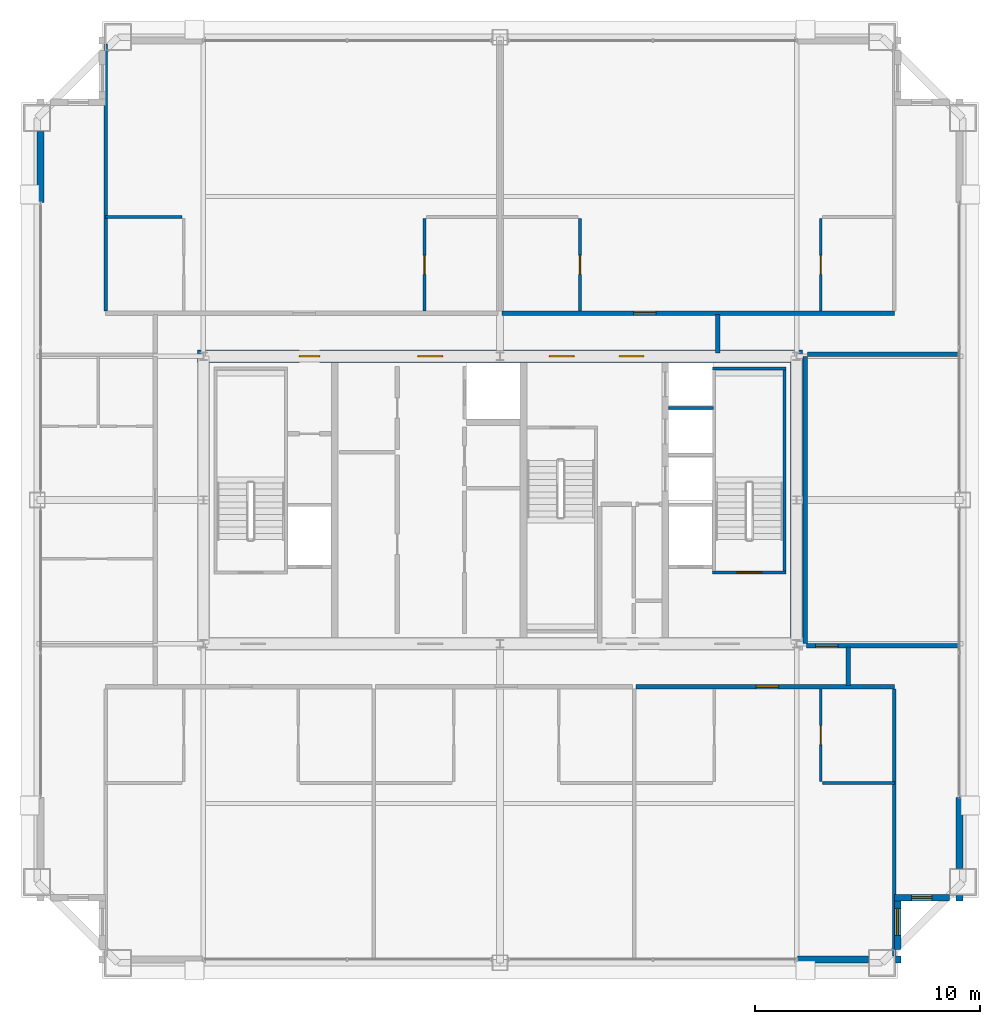
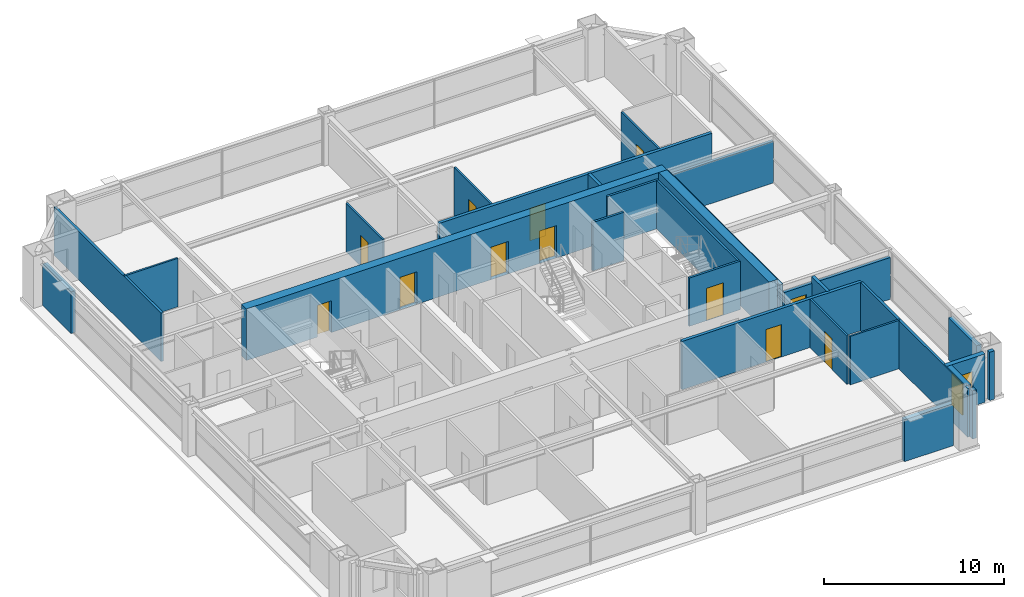
# One storey, part 35 of 37: 28 walls, 12 doors, 2 windows, 14 openings.
"""IFC4 building model written with IfcOpenShell, lengths in metres."""

from ifc_helpers import new_model, si_unit, direction, frame, frame_2d, origin, place, context, subcontext, project, spatial, rectangle, extrude, source, transform, mapped, material, layer, layer_set, type_object, element, fill, save


model = new_model("IFC4")

# Units and contexts
model_context = context("Model", 3, precision=1e-05, world=origin(), true_north=direction((0.0, 1.0)))
body_context = subcontext(model_context, "Body", "Model", "MODEL_VIEW")
ifc_project = project(units=[si_unit("LENGTHUNIT", "METRE"), si_unit("AREAUNIT", "SQUARE_METRE"), si_unit("VOLUMEUNIT", "CUBIC_METRE"), si_unit("PLANEANGLEUNIT", "RADIAN"), si_unit("MASSUNIT", "GRAM", prefix="KILO"), si_unit("THERMODYNAMICTEMPERATUREUNIT", "KELVIN"), si_unit("POWERUNIT", "WATT")], contexts=[model_context])

# Site, building, storey
site_placement = place(None, origin())
site = spatial("IfcSite", under=ifc_project, at=site_placement, CompositionType="ELEMENT")
building_placement = place(site_placement, origin())
building = spatial("IfcBuilding", under=site, at=building_placement, Name="Yuzanri Waterfront Tower", CompositionType="ELEMENT")
storey_placement = place(building_placement, frame((0.0, 0.0, 275.10009765625)))
storey = spatial("IfcBuildingStorey", under=building, at=storey_placement, Name="L73", CompositionType="ELEMENT", Elevation=275.10009765625)

# Wall, opening, door
ifc_material_1 = material(Name="Moisture-Resistant Gypsum Stud Wall", Category="gypsum")
ifc_layer_1 = layer(ifc_material_1, 0.1201171875)
ifc_layer_set_1 = layer_set([ifc_layer_1], Name="Moisture-Resistant Gypsum Stud Wall")
wall_type_1 = type_object("IfcWallType", Name="Bathroom and Kitchen Wet Partition 120", PredefinedType="PARTITIONING", material=ifc_layer_set_1)
wall_1_placement = place(storey_placement, frame((51.280029296875, 13.280029296875, 0.0), z_axis=(0.0, 0.0, 1.0), x_axis=(0.0, 1.0, 0.0)))
wall_1 = element("IfcWall", 1, at=wall_1_placement, inside=storey, type_object=wall_type_1, Name="L73 Partition UW-L73-HS3-SUB-2-W", PredefinedType="PARTITIONING", context=body_context, shape_type="SweptSolid", body=[
    extrude(rectangle(XDim=4.10986328125, YDim=0.1201171875, at=frame_2d((2.054931640625, 0.0))), origin(), (0.0, 0.0, 1.0), 3.27978515625),
])
opening_1_placement = place(wall_1_placement, frame((1.6298828125, 0.0, 0.0)))
opening_1 = element("IfcOpeningElement", 2, at=opening_1_placement, cuts=wall_1, Name="Opening ID-0850", PredefinedType="OPENING", context=body_context, shape_type="SweptSolid", body=[
    extrude(rectangle(XDim=0.85009765625, YDim=2.10009765625, at=frame_2d((0.425048828125, 1.050048828125))), frame((0.0, 0.074951171875, 0.0), z_axis=(0.0, -1.0, 0.0), x_axis=(1.0, 0.0, 0.0)), (0.0, 0.0, 1.0), 0.14990234375),
])
ifc_material_2 = material(Name="Moisture-Resistant Lacquered Timber", Category="wood")
door_type_1 = type_object("IfcDoorType", Name="En-Suite Bathroom and Kitchen Swing Door 850x2100", OperationType="NOTDEFINED", PredefinedType="DOOR", material=ifc_material_2)
shared_shape_1 = source(origin(), body_context, "Body", "SweptSolid", [
    extrude(rectangle(XDim=0.85009765625, YDim=2.10009765625, at=frame_2d((0.425048828125, 1.050048828125))), frame((0.0, 0.02490234375, 0.0), z_axis=(0.0, -1.0, 0.0), x_axis=(1.0, 0.0, 0.0)), (0.0, 0.0, 1.0), 0.050048828125),
])
door_1_placement = place(opening_1_placement, origin())
door_1 = element("IfcDoor", 3, at=door_1_placement, inside=storey, type_object=door_type_1, Name="L73 Suite Interior Room Door", OperationType="SINGLE_SWING_LEFT", OverallHeight=2.10009765625, OverallWidth=0.85009765625, PredefinedType="DOOR", context=body_context, shape_type="MappedRepresentation", body=[
    mapped(shared_shape_1, transform((0.0, 0.0, 0.0), scale=1.0)),
])
fill(opening_1, door_1)

wall_2_placement = place(storey_placement, frame((33.639892578125, 34.2099609375, 0.0), z_axis=(0.0, 0.0, 1.0), x_axis=(0.0, 1.0, 0.0)))
wall_2 = element("IfcWall", 4, at=wall_2_placement, inside=storey, type_object=wall_type_1, Name="L73 Partition UW-L73-HN1-SUB-2-W", PredefinedType="PARTITIONING", context=body_context, shape_type="SweptSolid", body=[
    extrude(rectangle(XDim=4.110107421875, YDim=0.1201171875, at=frame_2d((2.05517578125, 0.0))), origin(), (0.0, 0.0, 1.0), 3.27978515625),
])
opening_2_placement = place(wall_2_placement, frame((1.6298828125, 0.0, 0.0)))
opening_2 = element("IfcOpeningElement", 5, at=opening_2_placement, cuts=wall_2, Name="Opening ID-0850", PredefinedType="OPENING", context=body_context, shape_type="SweptSolid", body=[
    extrude(rectangle(XDim=0.85009765625, YDim=2.10009765625, at=frame_2d((0.425048828125, 1.050048828125))), frame((0.0, 0.074951171875, 0.0), z_axis=(0.0, -1.0, 0.0), x_axis=(1.0, 0.0, 0.0)), (0.0, 0.0, 1.0), 0.14990234375),
])
door_2_placement = place(opening_2_placement, origin())
door_2 = element("IfcDoor", 6, at=door_2_placement, inside=storey, type_object=door_type_1, Name="L73 Suite Interior Room Door", OperationType="SINGLE_SWING_RIGHT", OverallHeight=2.10009765625, OverallWidth=0.85009765625, PredefinedType="DOOR", context=body_context, shape_type="MappedRepresentation", body=[
    mapped(shared_shape_1, transform((0.0, 0.0, 0.0), scale=1.0)),
])
fill(opening_2, door_2)

wall_3_placement = place(storey_placement, frame((40.56005859375, 34.2099609375, 0.0), z_axis=(0.0, 0.0, 1.0), x_axis=(0.0, 1.0, 0.0)))
wall_3 = element("IfcWall", 7, at=wall_3_placement, inside=storey, type_object=wall_type_1, Name="L73 Partition UW-L73-HN2-SUB-1-E", PredefinedType="PARTITIONING", context=body_context, shape_type="SweptSolid", body=[
    extrude(rectangle(XDim=4.110107421875, YDim=0.1201171875, at=frame_2d((2.05517578125, 0.0))), origin(), (0.0, 0.0, 1.0), 3.27978515625),
])
opening_3_placement = place(wall_3_placement, frame((1.6298828125, 0.0, 0.0)))
opening_3 = element("IfcOpeningElement", 8, at=opening_3_placement, cuts=wall_3, Name="Opening ID-0850", PredefinedType="OPENING", context=body_context, shape_type="SweptSolid", body=[
    extrude(rectangle(XDim=0.85009765625, YDim=2.10009765625, at=frame_2d((0.425048828125, 1.050048828125))), frame((0.0, 0.074951171875, 0.0), z_axis=(0.0, -1.0, 0.0), x_axis=(1.0, 0.0, 0.0)), (0.0, 0.0, 1.0), 0.14990234375),
])
door_3_placement = place(opening_3_placement, origin())
door_3 = element("IfcDoor", 9, at=door_3_placement, inside=storey, type_object=door_type_1, Name="L73 Suite Interior Room Door", OperationType="SINGLE_SWING_RIGHT", OverallHeight=2.10009765625, OverallWidth=0.85009765625, PredefinedType="DOOR", context=body_context, shape_type="MappedRepresentation", body=[
    mapped(shared_shape_1, transform((0.0, 0.0, 0.0), scale=1.0)),
])
fill(opening_3, door_3)

wall_4_placement = place(storey_placement, frame((51.280029296875, 34.2099609375, 0.0), z_axis=(0.0, 0.0, 1.0), x_axis=(0.0, 1.0, 0.0)))
wall_4 = element("IfcWall", 10, at=wall_4_placement, inside=storey, type_object=wall_type_1, Name="L73 Partition UW-L73-HN2-SUB-2-W", PredefinedType="PARTITIONING", context=body_context, shape_type="SweptSolid", body=[
    extrude(rectangle(XDim=4.110107421875, YDim=0.1201171875, at=frame_2d((2.05517578125, 0.0))), origin(), (0.0, 0.0, 1.0), 3.27978515625),
])
opening_4_placement = place(wall_4_placement, frame((1.6298828125, 0.0, 0.0)))
opening_4 = element("IfcOpeningElement", 11, at=opening_4_placement, cuts=wall_4, Name="Opening ID-0850", PredefinedType="OPENING", context=body_context, shape_type="SweptSolid", body=[
    extrude(rectangle(XDim=0.85009765625, YDim=2.10009765625, at=frame_2d((0.425048828125, 1.050048828125))), frame((0.0, 0.074951171875, 0.0), z_axis=(0.0, -1.0, 0.0), x_axis=(1.0, 0.0, 0.0)), (0.0, 0.0, 1.0), 0.14990234375),
])
door_4_placement = place(opening_4_placement, origin())
door_4 = element("IfcDoor", 12, at=door_4_placement, inside=storey, type_object=door_type_1, Name="L73 Suite Interior Room Door", OperationType="SINGLE_SWING_LEFT", OverallHeight=2.10009765625, OverallWidth=0.85009765625, PredefinedType="DOOR", context=body_context, shape_type="MappedRepresentation", body=[
    mapped(shared_shape_1, transform((0.0, 0.0, 0.0), scale=1.0)),
])
fill(opening_4, door_4)

# Wall, opening, window
ifc_material_3 = material(Name="Honed Chongqing Dark Basalt Stone", Category="masonry")
ifc_layer_2 = layer(ifc_material_3, 0.300048828125)
ifc_layer_set_2 = layer_set([ifc_layer_2], Name="Honed Chongqing Dark Basalt Stone")
wall_type_2 = type_object("IfcWallType", Name="Bronze Rainscreen Insulated Spandrel Portal Wall 300", PredefinedType="SOLIDWALL", material=ifc_layer_set_2)
wall_5_placement = place(storey_placement, frame((54.550048828125, 8.10009765625, 0.0), z_axis=(0.0, 0.0, 1.0), x_axis=(1.0, 0.0, 0.0)))
wall_5 = element("IfcWall", 13, at=wall_5_placement, inside=storey, type_object=wall_type_2, Name="L73 Notched Corner Masonry Wall SE-X", PredefinedType="SOLIDWALL", context=body_context, shape_type="SweptSolid", body=[
    extrude(rectangle(XDim=2.449951171875, YDim=0.300048828125, at=frame_2d((1.22509765625, 0.0))), origin(), (0.0, 0.0, 1.0), 3.27978515625),
])
opening_5_placement = place(wall_5_placement, frame((0.77490234375, 0.0, 0.85009765625)))
opening_5 = element("IfcOpeningElement", 14, at=opening_5_placement, cuts=wall_5, Name="Opening WN-05", PredefinedType="OPENING", context=body_context, shape_type="SweptSolid", body=[
    extrude(rectangle(XDim=0.89990234375, YDim=1.5, at=frame_2d((0.449951171875, 0.75))), frame((0.0, 0.1650390625, 0.0), z_axis=(0.0, -1.0, 0.0), x_axis=(1.0, 0.0, 0.0)), (0.0, 0.0, 1.0), 0.329833984375),
])
ifc_material_4 = material(Name="Double-Silver Low-E Insulated Glass", Category="glass")
window_type_1 = type_object("IfcWindowType", Name="Anodized Bronze Service and Stairwell Smoke-Vent Window 900x1500", PartitioningType="SINGLE_PANEL", PredefinedType="WINDOW", material=ifc_material_4)
shared_shape_2 = source(origin(), body_context, "Body", "SweptSolid", [
    extrude(rectangle(XDim=0.89990234375, YDim=1.5, at=frame_2d((0.449951171875, 0.75))), frame((0.0, 0.030029296875, 0.0), z_axis=(0.0, -1.0, 0.0), x_axis=(1.0, 0.0, 0.0)), (0.0, 0.0, 1.0), 0.06005859375),
])
window_1_placement = place(opening_5_placement, origin())
window_1 = element("IfcWindow", 15, at=window_1_placement, inside=storey, type_object=window_type_1, Name="L73 Notched Corner Window SE-X", OverallHeight=1.5, OverallWidth=0.89990234375, PartitioningType="SINGLE_PANEL", PredefinedType="WINDOW", context=body_context, shape_type="MappedRepresentation", body=[
    mapped(shared_shape_2, transform((0.0, 0.0, 0.0), scale=1.0)),
])
fill(opening_5, window_1)

wall_6_placement = place(storey_placement, frame((54.699951171875, 5.800048828125, 0.0), z_axis=(0.0, 0.0, 1.0), x_axis=(0.0, 1.0, 0.0)))
wall_6 = element("IfcWall", 16, at=wall_6_placement, inside=storey, type_object=wall_type_2, Name="L73 Notched Corner Masonry Wall SE-Y", PredefinedType="SOLIDWALL", context=body_context, shape_type="SweptSolid", body=[
    extrude(rectangle(XDim=2.449951171875, YDim=0.300048828125, at=frame_2d((1.22509765625, 0.0))), origin(), (0.0, 0.0, 1.0), 3.27978515625),
])
opening_6_placement = place(wall_6_placement, frame((0.625, 0.0, 0.85009765625)))
opening_6 = element("IfcOpeningElement", 17, at=opening_6_placement, cuts=wall_6, Name="Opening WN-02", PredefinedType="OPENING", context=body_context, shape_type="SweptSolid", body=[
    extrude(rectangle(XDim=1.199951171875, YDim=2.10009765625, at=frame_2d((0.60009765625, 1.050048828125))), frame((0.0, 0.1650390625, 0.0), z_axis=(0.0, -1.0, 0.0), x_axis=(1.0, 0.0, 0.0)), (0.0, 0.0, 1.0), 0.329833984375),
])
ifc_material_5 = material(Name="Double-Silver Low-E Insulated Glass", Category="glass")
window_type_2 = type_object("IfcWindowType", Name="Anodized Bronze Notched Corner Deep-Set Slot Window 1200x2100", PartitioningType="SINGLE_PANEL", PredefinedType="WINDOW", material=ifc_material_5)
shared_shape_3 = source(origin(), body_context, "Body", "SweptSolid", [
    extrude(rectangle(XDim=1.199951171875, YDim=2.10009765625, at=frame_2d((0.60009765625, 1.050048828125))), frame((0.0, 0.030029296875, 0.0), z_axis=(0.0, -1.0, 0.0), x_axis=(1.0, 0.0, 0.0)), (0.0, 0.0, 1.0), 0.06005859375),
])
window_2_placement = place(opening_6_placement, origin())
window_2 = element("IfcWindow", 18, at=window_2_placement, inside=storey, type_object=window_type_2, Name="L73 Notched Corner Window SE-Y", OverallHeight=2.10009765625, OverallWidth=1.199951171875, PartitioningType="SINGLE_PANEL", PredefinedType="WINDOW", context=body_context, shape_type="MappedRepresentation", body=[
    mapped(shared_shape_3, transform((0.0, 0.0, 0.0), scale=1.0)),
])
fill(opening_6, window_2)

# Wall, openings, doors
ifc_material_6 = material(Name="Concrete C50", Category="concrete")
ifc_layer_3 = layer(ifc_material_6, 0.550048828125)
ifc_layer_set_3 = layer_set([ifc_layer_3], Name="Concrete C50")
wall_type_3 = type_object("IfcWallType", Name="Concrete C50 Upper-Mid Zone Core Shear Wall 550", PredefinedType="SHEAR", material=ifc_layer_set_3)
wall_7_placement = place(storey_placement, frame((23.52490234375, 32.199951171875, 0.0), z_axis=(0.0, 0.0, 1.0), x_axis=(1.0, 0.0, 0.0)))
wall_7 = element("IfcWall", 19, at=wall_7_placement, inside=storey, type_object=wall_type_3, Name="L73 Core North Shear Wall", PredefinedType="SHEAR", context=body_context, shape_type="SweptSolid", body=[
    extrude(rectangle(XDim=26.9501953125, YDim=0.550048828125, at=frame_2d((13.47509765625, 0.0))), origin(), (0.0, 0.0, 1.0), 3.5),
])
opening_7_placement = place(wall_7_placement, frame((4.544921875, 0.0, 0.0)))
opening_7 = element("IfcOpeningElement", 20, at=opening_7_placement, cuts=wall_7, Name="Opening FD-0900", PredefinedType="OPENING", context=body_context, shape_type="SweptSolid", body=[
    extrude(rectangle(XDim=0.89990234375, YDim=2.14990234375, at=frame_2d((0.449951171875, 1.074951171875))), frame((0.0, 0.2900390625, 0.0), z_axis=(0.0, -1.0, 0.0), x_axis=(1.0, 0.0, 0.0)), (0.0, 0.0, 1.0), 0.579833984375),
])
opening_8_placement = place(wall_7_placement, frame((9.824951171875, 0.0, 0.0)))
opening_8 = element("IfcOpeningElement", 21, at=opening_8_placement, cuts=wall_7, Name="Opening FD-1100", PredefinedType="OPENING", context=body_context, shape_type="SweptSolid", body=[
    extrude(rectangle(XDim=1.10009765625, YDim=2.199951171875, at=frame_2d((0.550048828125, 1.10009765625))), frame((0.0, 0.2900390625, 0.0), z_axis=(0.0, -1.0, 0.0), x_axis=(1.0, 0.0, 0.0)), (0.0, 0.0, 1.0), 0.579833984375),
])
opening_9_placement = place(wall_7_placement, frame((15.675048828125, 0.0, 0.0)))
opening_9 = element("IfcOpeningElement", 22, at=opening_9_placement, cuts=wall_7, Name="Opening FD-1100", PredefinedType="OPENING", context=body_context, shape_type="SweptSolid", body=[
    extrude(rectangle(XDim=1.10009765625, YDim=2.199951171875, at=frame_2d((0.550048828125, 1.10009765625))), frame((0.0, 0.2900390625, 0.0), z_axis=(0.0, -1.0, 0.0), x_axis=(1.0, 0.0, 0.0)), (0.0, 0.0, 1.0), 0.579833984375),
])
opening_10_placement = place(wall_7_placement, frame((18.77490234375, 0.0, 0.0)))
opening_10 = element("IfcOpeningElement", 23, at=opening_10_placement, cuts=wall_7, Name="Opening FD-1100", PredefinedType="OPENING", context=body_context, shape_type="SweptSolid", body=[
    extrude(rectangle(XDim=1.10009765625, YDim=2.199951171875, at=frame_2d((0.550048828125, 1.10009765625))), frame((0.0, 0.2900390625, 0.0), z_axis=(0.0, -1.0, 0.0), x_axis=(1.0, 0.0, 0.0)), (0.0, 0.0, 1.0), 0.579833984375),
])
ifc_material_7 = material(Name="Painted Galvanized Fire Steel", Category="steel")
door_type_2 = type_object("IfcDoorType", Name="Smoke-Proof Stair and Lobby Fire Door 1100x2200", OperationType="NOTDEFINED", PredefinedType="DOOR", material=ifc_material_7)
shared_shape_4 = source(origin(), body_context, "Body", "SweptSolid", [
    extrude(rectangle(XDim=1.10009765625, YDim=2.199951171875, at=frame_2d((0.550048828125, 1.10009765625))), frame((0.0, 0.02490234375, 0.0), z_axis=(0.0, -1.0, 0.0), x_axis=(1.0, 0.0, 0.0)), (0.0, 0.0, 1.0), 0.050048828125),
])
door_5_placement = place(opening_8_placement, origin())
door_5 = element("IfcDoor", 24, at=door_5_placement, inside=storey, type_object=door_type_2, Name="L73 Central Lift Lobby North Door", OperationType="SINGLE_SWING_RIGHT", OverallHeight=2.199951171875, OverallWidth=1.10009765625, PredefinedType="DOOR", context=body_context, shape_type="MappedRepresentation", body=[
    mapped(shared_shape_4, transform((0.0, 0.0, 0.0), scale=1.0)),
])
fill(opening_8, door_5)
door_6_placement = place(opening_9_placement, origin())
door_6 = element("IfcDoor", 25, at=door_6_placement, inside=storey, type_object=door_type_2, Name="L73 North Stair Lobby Door", OperationType="SINGLE_SWING_LEFT", OverallHeight=2.199951171875, OverallWidth=1.10009765625, PredefinedType="DOOR", context=body_context, shape_type="MappedRepresentation", body=[
    mapped(shared_shape_4, transform((0.0, 0.0, 0.0), scale=1.0)),
])
fill(opening_9, door_6)
door_7_placement = place(opening_10_placement, origin())
door_7 = element("IfcDoor", 26, at=door_7_placement, inside=storey, type_object=door_type_2, Name="L73 High-Rise Lift Lobby North Door", OperationType="SINGLE_SWING_RIGHT", OverallHeight=2.199951171875, OverallWidth=1.10009765625, PredefinedType="DOOR", context=body_context, shape_type="MappedRepresentation", body=[
    mapped(shared_shape_4, transform((0.0, 0.0, 0.0), scale=1.0)),
])
fill(opening_10, door_7)
ifc_material_8 = material(Name="Painted Galvanized Fire Steel", Category="steel")
door_type_3 = type_object("IfcDoorType", Name="Riser and Service Room Fire Door 900x2150", OperationType="NOTDEFINED", PredefinedType="DOOR", material=ifc_material_8)
shared_shape_5 = source(origin(), body_context, "Body", "SweptSolid", [
    extrude(rectangle(XDim=0.89990234375, YDim=2.14990234375, at=frame_2d((0.449951171875, 1.074951171875))), frame((0.0, 0.02490234375, 0.0), z_axis=(0.0, -1.0, 0.0), x_axis=(1.0, 0.0, 0.0)), (0.0, 0.0, 1.0), 0.050048828125),
])
door_8_placement = place(opening_7_placement, origin())
door_8 = element("IfcDoor", 27, at=door_8_placement, inside=storey, type_object=door_type_3, Name="L73 Telecom Riser Door", OperationType="SINGLE_SWING_LEFT", OverallHeight=2.14990234375, OverallWidth=0.89990234375, PredefinedType="DOOR", context=body_context, shape_type="MappedRepresentation", body=[
    mapped(shared_shape_5, transform((0.0, 0.0, 0.0), scale=1.0)),
])
fill(opening_7, door_8)

# Wall, opening, door
ifc_material_9 = material(Name="Concrete C40", Category="concrete")
ifc_layer_4 = layer(ifc_material_9, 0.139892578125)
ifc_layer_set_4 = layer_set([ifc_layer_4], Name="Concrete C40")
wall_type_4 = type_object("IfcWallType", Name="Core Stair Liner and Hoistway Shaft Wall 140", PredefinedType="SOLIDWALL", material=ifc_layer_set_4)
wall_8_placement = place(storey_placement, frame((46.4599609375, 22.570068359375, 0.0), z_axis=(0.0, 0.0, 1.0), x_axis=(1.0, 0.0, 0.0)))
wall_8 = element("IfcWall", 28, at=wall_8_placement, inside=storey, type_object=wall_type_4, Name="L73 Shaft Wall STW-L73-ST-02-S", PredefinedType="SOLIDWALL", context=body_context, shape_type="SweptSolid", body=[
    extrude(rectangle(XDim=3.280029296875, YDim=0.139892578125, at=frame_2d((1.64013671875, 0.0))), origin(), (0.0, 0.0, 1.0), 3.27978515625),
])
opening_11_placement = place(wall_8_placement, frame((1.090087890625, 0.0, 0.0)))
opening_11 = element("IfcOpeningElement", 29, at=opening_11_placement, cuts=wall_8, Name="Opening FD-1100", PredefinedType="OPENING", context=body_context, shape_type="SweptSolid", body=[
    extrude(rectangle(XDim=1.10009765625, YDim=2.199951171875, at=frame_2d((0.550048828125, 1.10009765625))), frame((0.0, 0.0849609375, 0.0), z_axis=(0.0, -1.0, 0.0), x_axis=(1.0, 0.0, 0.0)), (0.0, 0.0, 1.0), 0.169677734375),
])
door_9_placement = place(opening_11_placement, origin())
door_9 = element("IfcDoor", 30, at=door_9_placement, inside=storey, type_object=door_type_2, Name="L73 Stair ST-02 Fire Door", OperationType="SINGLE_SWING_RIGHT", OverallHeight=2.199951171875, OverallWidth=1.10009765625, PredefinedType="DOOR", context=body_context, shape_type="MappedRepresentation", body=[
    mapped(shared_shape_4, transform((0.0, 0.0, 0.0), scale=1.0)),
])
fill(opening_11, door_9)

ifc_material_10 = material(Name="Autoclaved Aerated Concrete Blockwork", Category="masonry")
ifc_layer_5 = layer(ifc_material_10, 0.199951171875)
ifc_layer_set_5 = layer_set([ifc_layer_5], Name="Autoclaved Aerated Concrete Blockwork")
wall_type_5 = type_object("IfcWallType", Name="Corridor and Unit Party Fire Wall 200", PredefinedType="PARTITIONING", material=ifc_layer_set_5)
wall_9_placement = place(storey_placement, frame((43.050048828125, 17.489990234375, 0.0), z_axis=(0.0, 0.0, 1.0), x_axis=(1.0, 0.0, 0.0)))
wall_9 = element("IfcWall", 31, at=wall_9_placement, inside=storey, type_object=wall_type_5, Name="L73 Partition UW-L73-HS3-CN", PredefinedType="PARTITIONING", context=body_context, shape_type="SweptSolid", body=[
    extrude(rectangle(XDim=11.510009765625, YDim=0.199951171875, at=frame_2d((5.7548828125, 0.0))), origin(), (0.0, 0.0, 1.0), 3.27978515625),
])
opening_12_placement = place(wall_9_placement, frame((5.35498046875, 0.0, 0.0)))
opening_12 = element("IfcOpeningElement", 32, at=opening_12_placement, cuts=wall_9, Name="Opening FD-1000", PredefinedType="OPENING", context=body_context, shape_type="SweptSolid", body=[
    extrude(rectangle(XDim=1.0, YDim=2.199951171875, at=frame_2d((0.5, 1.10009765625))), frame((0.0, 0.11474609375, 0.0), z_axis=(0.0, -1.0, 0.0), x_axis=(1.0, 0.0, 0.0)), (0.0, 0.0, 1.0), 0.229736328125),
])
ifc_material_11 = material(Name="Engineered Oak Fire-Rated Timber", Category="wood")
door_type_4 = type_object("IfcDoorType", Name="Guestroom and Apartment Entrance Fire Door 1000x2200", OperationType="NOTDEFINED", PredefinedType="DOOR", material=ifc_material_11)
shared_shape_6 = source(origin(), body_context, "Body", "SweptSolid", [
    extrude(rectangle(XDim=1.0, YDim=2.199951171875, at=frame_2d((0.5, 1.10009765625))), frame((0.0, 0.02490234375, 0.0), z_axis=(0.0, -1.0, 0.0), x_axis=(1.0, 0.0, 0.0)), (0.0, 0.0, 1.0), 0.050048828125),
])
door_10_placement = place(opening_12_placement, origin())
door_10 = element("IfcDoor", 33, at=door_10_placement, inside=storey, type_object=door_type_4, Name="L73 Studio Living and Sleeping Room Entrance Door", OperationType="SINGLE_SWING_LEFT", OverallHeight=2.199951171875, OverallWidth=1.0, PredefinedType="DOOR", context=body_context, shape_type="MappedRepresentation", body=[
    mapped(shared_shape_6, transform((0.0, 0.0, 0.0), scale=1.0)),
])
fill(opening_12, door_10)

wall_10_placement = place(storey_placement, frame((37.080078125, 34.110107421875, 0.0), z_axis=(0.0, 0.0, 1.0), x_axis=(1.0, 0.0, 0.0)))
wall_10 = element("IfcWall", 34, at=wall_10_placement, inside=storey, type_object=wall_type_5, Name="L73 Partition UW-L73-HN2-CS", PredefinedType="PARTITIONING", context=body_context, shape_type="SweptSolid", body=[
    extrude(rectangle(XDim=17.47998046875, YDim=0.199951171875, at=frame_2d((8.739990234375, 0.0))), origin(), (0.0, 0.0, 1.0), 3.27978515625),
])
opening_13_placement = place(wall_10_placement, frame((5.864990234375, 0.0, 0.0)))
opening_13 = element("IfcOpeningElement", 35, at=opening_13_placement, cuts=wall_10, Name="Opening FD-1000", PredefinedType="OPENING", context=body_context, shape_type="SweptSolid", body=[
    extrude(rectangle(XDim=1.0, YDim=2.199951171875, at=frame_2d((0.5, 1.10009765625))), frame((0.0, 0.11474609375, 0.0), z_axis=(0.0, -1.0, 0.0), x_axis=(1.0, 0.0, 0.0)), (0.0, 0.0, 1.0), 0.229736328125),
])
door_11_placement = place(opening_13_placement, origin())
door_11 = element("IfcDoor", 36, at=door_11_placement, inside=storey, type_object=door_type_4, Name="L73 Studio Living and Sleeping Room Entrance Door", OperationType="SINGLE_SWING_LEFT", OverallHeight=2.199951171875, OverallWidth=1.0, PredefinedType="DOOR", context=body_context, shape_type="MappedRepresentation", body=[
    mapped(shared_shape_6, transform((0.0, 0.0, 0.0), scale=1.0)),
])
fill(opening_13, door_11)

wall_11_placement = place(storey_placement, frame((50.64990234375, 19.31005859375, 0.0), z_axis=(0.0, 0.0, 1.0), x_axis=(1.0, 0.0, 0.0)))
wall_11 = element("IfcWall", 37, at=wall_11_placement, inside=storey, type_object=wall_type_5, Name="L73 Partition UW-L73-040-CS", PredefinedType="PARTITIONING", context=body_context, shape_type="SweptSolid", body=[
    extrude(rectangle(XDim=6.800048828125, YDim=0.199951171875, at=frame_2d((3.39990234375, 0.0))), origin(), (0.0, 0.0, 1.0), 2.824951171875),
])
opening_14_placement = place(wall_11_placement, frame((0.39990234375, 0.0, 0.0)))
opening_14 = element("IfcOpeningElement", 38, at=opening_14_placement, cuts=wall_11, Name="Opening FD-1000", PredefinedType="OPENING", context=body_context, shape_type="SweptSolid", body=[
    extrude(rectangle(XDim=1.0, YDim=2.199951171875, at=frame_2d((0.5, 1.10009765625))), frame((0.0, 0.11474609375, 0.0), z_axis=(0.0, -1.0, 0.0), x_axis=(1.0, 0.0, 0.0)), (0.0, 0.0, 1.0), 0.229736328125),
])
door_12_placement = place(opening_14_placement, origin())
door_12 = element("IfcDoor", 39, at=door_12_placement, inside=storey, type_object=door_type_4, Name="L73 High-Rise E Horizon Club Room Entrance Door", OperationType="SINGLE_SWING_RIGHT", OverallHeight=2.199951171875, OverallWidth=1.0, PredefinedType="DOOR", context=body_context, shape_type="MappedRepresentation", body=[
    mapped(shared_shape_6, transform((0.0, 0.0, 0.0), scale=1.0)),
])
fill(opening_14, door_12)

# Walls
shared_shape_7 = source(origin(), body_context, "Body", "SweptSolid", [
    extrude(rectangle(XDim=12.25, YDim=0.550048828125, at=frame_2d((6.125, 0.0))), origin(), (0.0, 0.0, 1.0), 3.5),
])
wall_12_placement = place(storey_placement, frame((50.199951171875, 19.675048828125, 0.0), z_axis=(0.0, 0.0, 1.0), x_axis=(0.0, 1.0, 0.0)))
element("IfcWall", 40, at=wall_12_placement, inside=storey, type_object=wall_type_3, Name="L73 Core East Shear Wall", PredefinedType="SHEAR", context=body_context, shape_type="MappedRepresentation", body=[
    mapped(shared_shape_7, transform((0.0, 0.0, 0.0), scale=1.0)),
])
shared_shape_8 = source(origin(), body_context, "Body", "SweptSolid", [
    extrude(rectangle(XDim=0.25, YDim=0.300048828125, at=frame_2d((0.125, 0.0))), origin(), (0.0, 0.0, 1.0), 3.27978515625),
])
for number, where, z_axis, x_axis, name in (
    (41, (54.60009765625, 5.35009765625, 0.0), (0.0, 0.0, 1.0), (1.0, 0.0, 0.0), "L73 Corner Column Shoulder Return CSE"),
    (42, (57.449951171875, 7.949951171875, 0.0), (0.0, 0.0, 1.0), (0.0, 1.0, 0.0), "L73 Corner Column Shoulder Return CES"),
):
    element("IfcWall", number, at=place(storey_placement, frame(where, z_axis=z_axis, x_axis=x_axis)), inside=storey, type_object=wall_type_2, Name=name, PredefinedType="SOLIDWALL", context=body_context, shape_type="MappedRepresentation", body=[
        mapped(shared_shape_8, transform((0.0, 0.0, 0.0), scale=1.0)),
    ])
shared_shape_9 = source(origin(), body_context, "Body", "SweptSolid", [
    extrude(rectangle(XDim=3.14990234375, YDim=0.300048828125, at=frame_2d((1.574951171875, 0.0))), origin(), (0.0, 0.0, 1.0), 2.8349609375),
])
for number, where, z_axis, x_axis, name in (
    (43, (50.25, 5.35009765625, 0.0), (0.0, 0.0, 1.0), (1.0, 0.0, 0.0), "L73 S Right Braced Masonry Shoulder"),
    (44, (16.550048828125, 39.050048828125, 0.0), (0.0, 0.0, 1.0), (0.0, 1.0, 0.0), "L73 W Right Braced Masonry Shoulder"),
):
    element("IfcWall", number, at=place(storey_placement, frame(where, z_axis=z_axis, x_axis=x_axis)), inside=storey, type_object=wall_type_2, Name=name, PredefinedType="SOLIDWALL", context=body_context, shape_type="MappedRepresentation", body=[
        mapped(shared_shape_9, transform((0.0, 0.0, 0.0), scale=1.0)),
    ])
shared_shape_10 = source(origin(), body_context, "Body", "SweptSolid", [
    extrude(rectangle(XDim=3.150146484375, YDim=0.300048828125, at=frame_2d((1.5751953125, 0.0))), origin(), (0.0, 0.0, 1.0), 2.8349609375),
])
wall_13_placement = place(storey_placement, frame((57.449951171875, 9.39990234375, 0.0), z_axis=(0.0, 0.0, 1.0), x_axis=(0.0, 1.0, 0.0)))
element("IfcWall", 45, at=wall_13_placement, inside=storey, type_object=wall_type_2, Name="L73 E Left Braced Masonry Shoulder", PredefinedType="SOLIDWALL", context=body_context, shape_type="MappedRepresentation", body=[
    mapped(shared_shape_10, transform((0.0, 0.0, 0.0), scale=1.0)),
])
shared_shape_11 = source(origin(), body_context, "Body", "SweptSolid", [
    extrude(rectangle(XDim=2.0, YDim=0.139892578125, at=frame_2d((1.0, 0.0))), origin(), (0.0, 0.0, 1.0), 3.27978515625),
])
wall_14_placement = place(storey_placement, frame((44.5, 29.89990234375, 0.0), z_axis=(0.0, 0.0, 1.0), x_axis=(1.0, 0.0, 0.0)))
element("IfcWall", 46, at=wall_14_placement, inside=storey, type_object=wall_type_4, Name="L73 Lift PL-10 Divider Wall", PredefinedType="SOLIDWALL", context=body_context, shape_type="MappedRepresentation", body=[
    mapped(shared_shape_11, transform((0.0, 0.0, 0.0), scale=1.0)),
])
shared_shape_12 = source(origin(), body_context, "Body", "SweptSolid", [
    extrude(rectangle(XDim=3.280029296875, YDim=0.139892578125, at=frame_2d((1.64013671875, 0.0))), origin(), (0.0, 0.0, 1.0), 3.27978515625),
])
wall_15_placement = place(storey_placement, frame((46.4599609375, 31.64990234375, 0.0), z_axis=(0.0, 0.0, 1.0), x_axis=(1.0, 0.0, 0.0)))
element("IfcWall", 47, at=wall_15_placement, inside=storey, type_object=wall_type_4, Name="L73 Stair ST-02 North Shaft Wall", PredefinedType="SOLIDWALL", context=body_context, shape_type="MappedRepresentation", body=[
    mapped(shared_shape_12, transform((0.0, 0.0, 0.0), scale=1.0)),
])
shared_shape_13 = source(origin(), body_context, "Body", "SweptSolid", [
    extrude(rectangle(XDim=8.940185546875, YDim=0.139892578125, at=frame_2d((4.47021484375, 0.0))), origin(), (0.0, 0.0, 1.0), 3.27978515625),
])
wall_16_placement = place(storey_placement, frame((49.669921875, 22.639892578125, 0.0), z_axis=(0.0, 0.0, 1.0), x_axis=(0.0, 1.0, 0.0)))
element("IfcWall", 48, at=wall_16_placement, inside=storey, type_object=wall_type_4, Name="L73 Stair ST-02 East Shaft Wall", PredefinedType="SOLIDWALL", context=body_context, shape_type="MappedRepresentation", body=[
    mapped(shared_shape_13, transform((0.0, 0.0, 0.0), scale=1.0)),
])
shared_shape_14 = source(origin(), body_context, "Body", "SweptSolid", [
    extrude(rectangle(XDim=3.400146484375, YDim=0.1201171875, at=frame_2d((1.7001953125, 0.0))), origin(), (0.0, 0.0, 1.0), 3.27978515625),
])
wall_17_placement = place(storey_placement, frame((19.43994140625, 38.39990234375, 0.0), z_axis=(0.0, 0.0, 1.0), x_axis=(1.0, 0.0, 0.0)))
element("IfcWall", 49, at=wall_17_placement, inside=storey, type_object=wall_type_1, Name="L73 Partition UW-L73-HN1-SUB-1-N", PredefinedType="PARTITIONING", context=body_context, shape_type="MappedRepresentation", body=[
    mapped(shared_shape_14, transform((0.0, 0.0, 0.0), scale=1.0)),
])
shared_shape_15 = source(origin(), body_context, "Body", "SweptSolid", [
    extrude(rectangle(XDim=3.199951171875, YDim=0.1201171875, at=frame_2d((1.60009765625, 0.0))), origin(), (0.0, 0.0, 1.0), 3.27978515625),
])
wall_18_placement = place(storey_placement, frame((51.360107421875, 13.199951171875, 0.0), z_axis=(0.0, 0.0, 1.0), x_axis=(1.0, 0.0, 0.0)))
element("IfcWall", 50, at=wall_18_placement, inside=storey, type_object=wall_type_1, Name="L73 Partition UW-L73-HS3-SUB-2-S", PredefinedType="PARTITIONING", context=body_context, shape_type="MappedRepresentation", body=[
    mapped(shared_shape_15, transform((0.0, 0.0, 0.0), scale=1.0)),
])
ifc_material_12 = material(Name="Gypsum Fireboard Acoustic Stud Wall", Category="gypsum")
ifc_layer_6 = layer(ifc_material_12, 0.159912109375)
ifc_layer_set_6 = layer_set([ifc_layer_6], Name="Gypsum Fireboard Acoustic Stud Wall")
wall_type_6 = type_object("IfcWallType", Name="Acoustic Suite Demising Partition 160", PredefinedType="PARTITIONING", material=ifc_layer_set_6)
shared_shape_16 = source(origin(), body_context, "Body", "SweptSolid", [
    extrude(rectangle(XDim=11.89013671875, YDim=0.159912109375, at=frame_2d((5.945068359375, 0.0))), origin(), (0.0, 0.0, 1.0), 3.27978515625),
])
wall_19_placement = place(storey_placement, frame((19.449951171875, 34.2099609375, 0.0), z_axis=(0.0, 0.0, 1.0), x_axis=(0.0, 1.0, 0.0)))
element("IfcWall", 51, at=wall_19_placement, inside=storey, type_object=wall_type_6, Name="L73 North Band West End Wall", PredefinedType="PARTITIONING", context=body_context, shape_type="MappedRepresentation", body=[
    mapped(shared_shape_16, transform((0.0, 0.0, 0.0), scale=1.0)),
])
shared_shape_17 = source(origin(), body_context, "Body", "SweptSolid", [
    extrude(rectangle(XDim=1.699951171875, YDim=0.199951171875, at=frame_2d((0.85009765625, 0.0))), origin(), (0.0, 0.0, 1.0), 3.27978515625),
])
for number, where, z_axis, x_axis, name in (
    (52, (46.699951171875, 32.35009765625, 0.0), (0.0, 0.0, 1.0), (0.0, 1.0, 0.0), "L73 North Foyer East End Wall"),
    (53, (52.5, 17.550048828125, 0.0), (0.0, 0.0, 1.0), (0.0, 1.0, 0.0), "L73 South Foyer East End Wall"),
):
    element("IfcWall", number, at=place(storey_placement, frame(where, z_axis=z_axis, x_axis=x_axis)), inside=storey, type_object=wall_type_5, Name=name, PredefinedType="PARTITIONING", context=body_context, shape_type="MappedRepresentation", body=[
        mapped(shared_shape_17, transform((0.0, 0.0, 0.0), scale=1.0)),
    ])
shared_shape_18 = source(origin(), body_context, "Body", "SweptSolid", [
    extrude(rectangle(XDim=11.889892578125, YDim=0.159912109375, at=frame_2d((5.94482421875, 0.0))), origin(), (0.0, 0.0, 1.0), 3.27978515625),
])
wall_20_placement = place(storey_placement, frame((54.550048828125, 5.5, 0.0), z_axis=(0.0, 0.0, 1.0), x_axis=(0.0, 1.0, 0.0)))
element("IfcWall", 54, at=wall_20_placement, inside=storey, type_object=wall_type_6, Name="L73 South Band East End Wall", PredefinedType="PARTITIONING", context=body_context, shape_type="MappedRepresentation", body=[
    mapped(shared_shape_18, transform((0.0, 0.0, 0.0), scale=1.0)),
])
shared_shape_19 = source(origin(), body_context, "Body", "SweptSolid", [
    extrude(rectangle(XDim=6.764892578125, YDim=0.199951171875, at=frame_2d((3.38232421875, 0.0))), origin(), (0.0, 0.0, 1.0), 2.824951171875),
])
wall_21_placement = place(storey_placement, frame((50.68505859375, 32.2900390625, 0.0), z_axis=(0.0, 0.0, 1.0), x_axis=(1.0, 0.0, 0.0)))
element("IfcWall", 55, at=wall_21_placement, inside=storey, type_object=wall_type_5, Name="L73-040 Wing North Wall", PredefinedType="PARTITIONING", context=body_context, shape_type="MappedRepresentation", body=[
    mapped(shared_shape_19, transform((0.0, 0.0, 0.0), scale=1.0)),
])
shared_shape_20 = source(origin(), body_context, "Body", "SweptSolid", [
    extrude(rectangle(XDim=12.780029296875, YDim=0.199951171875, at=frame_2d((6.39013671875, 0.0))), origin(), (0.0, 0.0, 1.0), 3.27978515625),
])
wall_22_placement = place(storey_placement, frame((50.580078125, 19.409912109375, 0.0), z_axis=(0.0, 0.0, 1.0), x_axis=(0.0, 1.0, 0.0)))
element("IfcWall", 56, at=wall_22_placement, inside=storey, type_object=wall_type_5, Name="L73-040 Wing Inner Core-Side Wall", PredefinedType="PARTITIONING", context=body_context, shape_type="MappedRepresentation", body=[
    mapped(shared_shape_20, transform((0.0, 0.0, 0.0), scale=1.0)),
])

save(model, "model.ifc")
